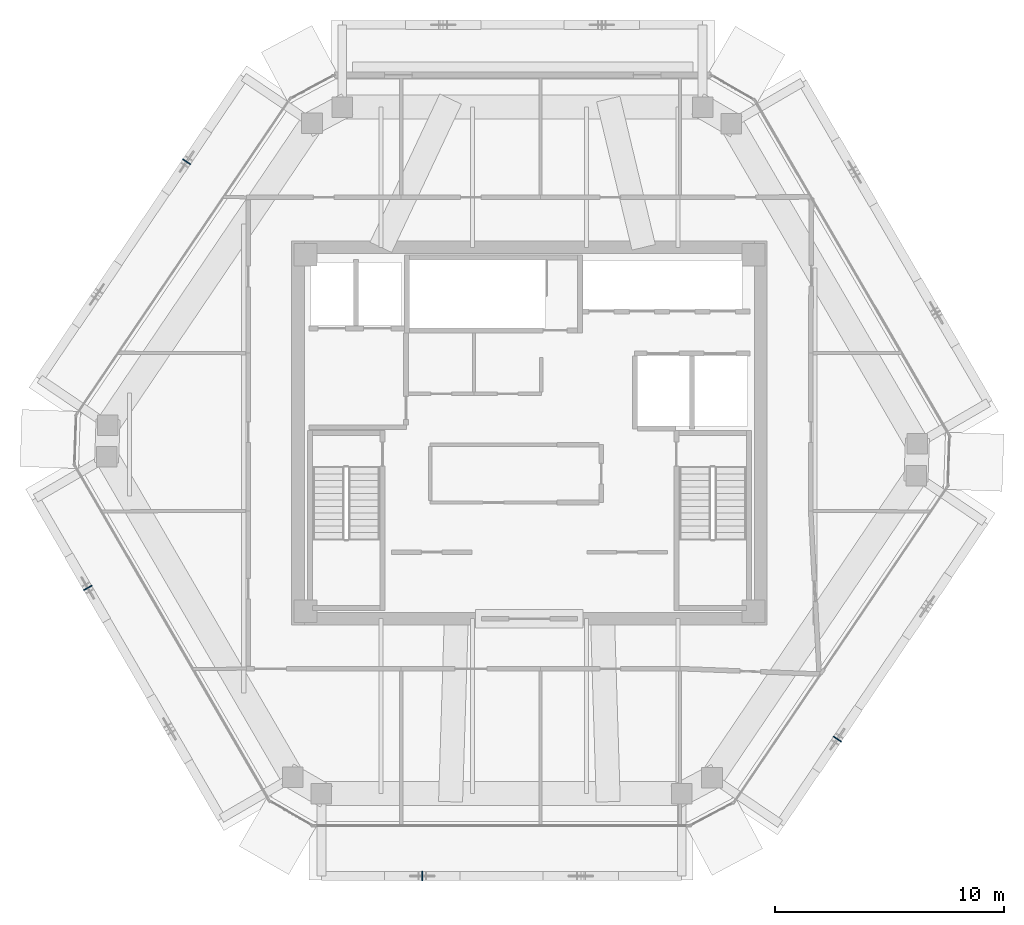
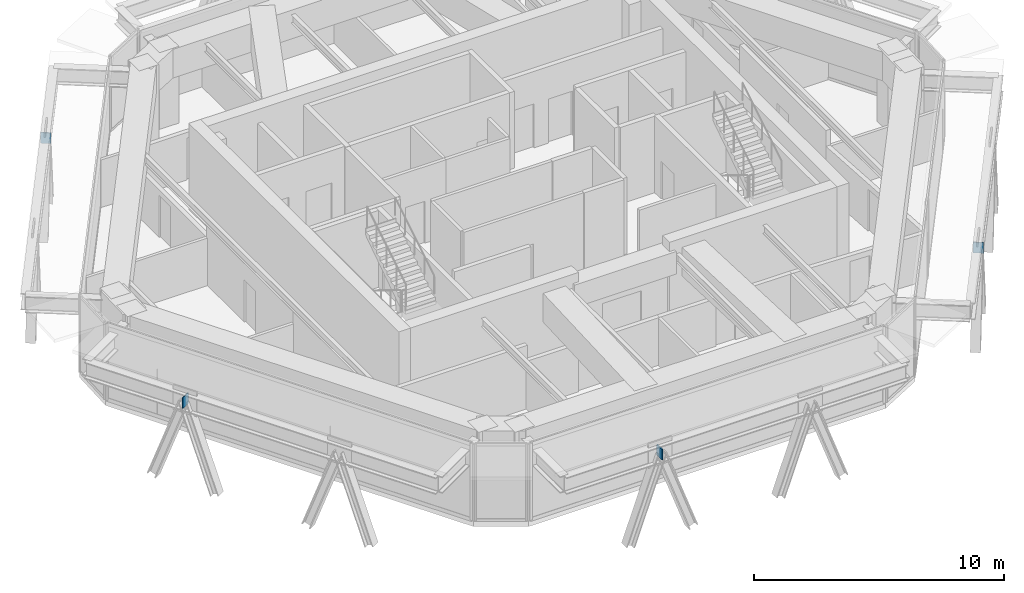
# One storey, part 8 of 13: 4 plates.
"""IFC4 building model written with IfcOpenShell, lengths in metres."""

from ifc_helpers import new_model, si_unit, direction, frame, origin, origin_2d, place, context, subcontext, project, spatial, rectangle, extrude, source, transform, mapped, material, layer, layer_set, type_object, type_shapes, element, save


model = new_model("IFC4")

# Units and contexts
model_context = context("Model", 3, precision=1e-05, world=origin(), true_north=direction((0.0, 1.0)))
body_context = subcontext(model_context, "Body", "Model", "MODEL_VIEW")
ifc_project = project(units=[si_unit("LENGTHUNIT", "METRE"), si_unit("AREAUNIT", "SQUARE_METRE"), si_unit("VOLUMEUNIT", "CUBIC_METRE"), si_unit("PLANEANGLEUNIT", "RADIAN"), si_unit("MASSUNIT", "GRAM", prefix="KILO")], contexts=[model_context])

# Site, building, storey
site_placement = place(None, origin())
site = spatial("IfcSite", under=ifc_project, at=site_placement, CompositionType="ELEMENT")
building_placement = place(site_placement, origin())
building = spatial("IfcBuilding", under=site, at=building_placement, Name="Durnholm Broadcast Tower", CompositionType="ELEMENT")
storey_placement = place(building_placement, frame((0.0, 0.0, 268.300048828125)))
storey = spatial("IfcBuildingStorey", under=building, at=storey_placement, Name="L75", CompositionType="ELEMENT", Elevation=268.300048828125)

# Plates
ifc_material = material(Name="Steel ASTM A572 Grade 50", Category="steel")
ifc_layer = layer(ifc_material, 0.044921875)
ifc_layer_set = layer_set([ifc_layer], Name="Steel ASTM A572 Grade 50")
plate_type = type_object("IfcPlateType", Name="PLT-KN-STIF", PredefinedType="SHEET", material=ifc_layer_set)
shared_shape = source(origin(), body_context, "Body", "SweptSolid", [
    extrude(rectangle(XDim=0.044921875, YDim=0.419921875, at=origin_2d()), origin(), (0.0, 0.0, 1.0), 0.52001953125),
])
type_shapes(plate_type, [shared_shape])
for number, where, z_axis, x_axis, name in (
    (1, (-4.688720703125, -19.385986328125, 2.738525390625), (0.0, 0.0, 1.0), (1.0, 0.0, 0.0), "L75 welded diagrid node stiffener plate F1"),
    (2, (13.47412109375, -13.398193359375, 2.738525390625), (0.0, 0.0, 1.0), (0.560060762816, 0.828451532652, 0.0), "L75 welded diagrid node stiffener plate F2"),
    (3, (-14.998046875, 11.874267578125, 2.738525390625), (0.0, 0.0, 1.0), (-0.560060762816, -0.828451532652, 0.0), "L75 welded diagrid node stiffener plate F5"),
    (4, (-19.330810546875, -6.77880859375, 2.738525390625), (0.0, 0.0, 1.0), (0.501963660617, -0.864888711581, 0.0), "L75 welded diagrid node stiffener plate F6"),
):
    element("IfcPlate", number, at=place(storey_placement, frame(where, z_axis=z_axis, x_axis=x_axis)), inside=storey, type_object=plate_type, Name=name, PredefinedType="SHEET", context=body_context, shape_type="MappedRepresentation", body=[
        mapped(shared_shape, transform((0.0, 0.0, 0.0), x_axis=(1.0, 0.0, 0.0), y_axis=(0.0, 1.0, 0.0), z_axis=(0.0, 0.0, 1.0), scale=1.0)),
    ])

save(model, "model.ifc")
